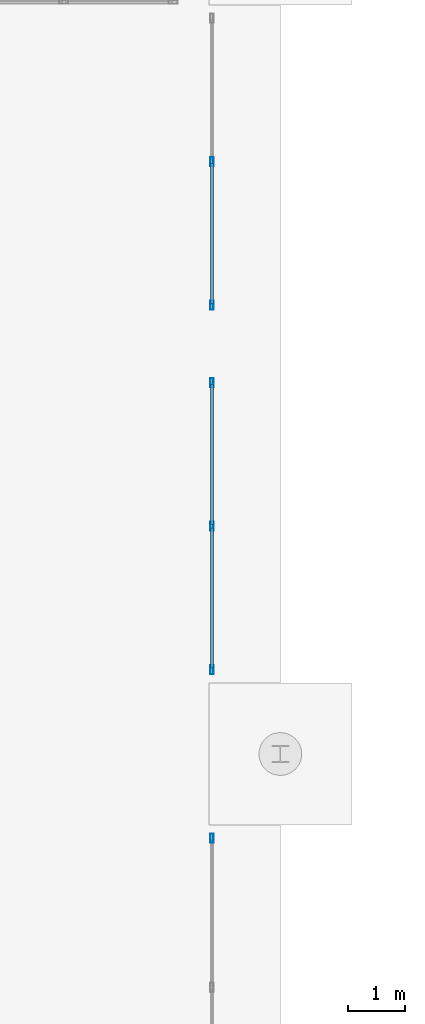
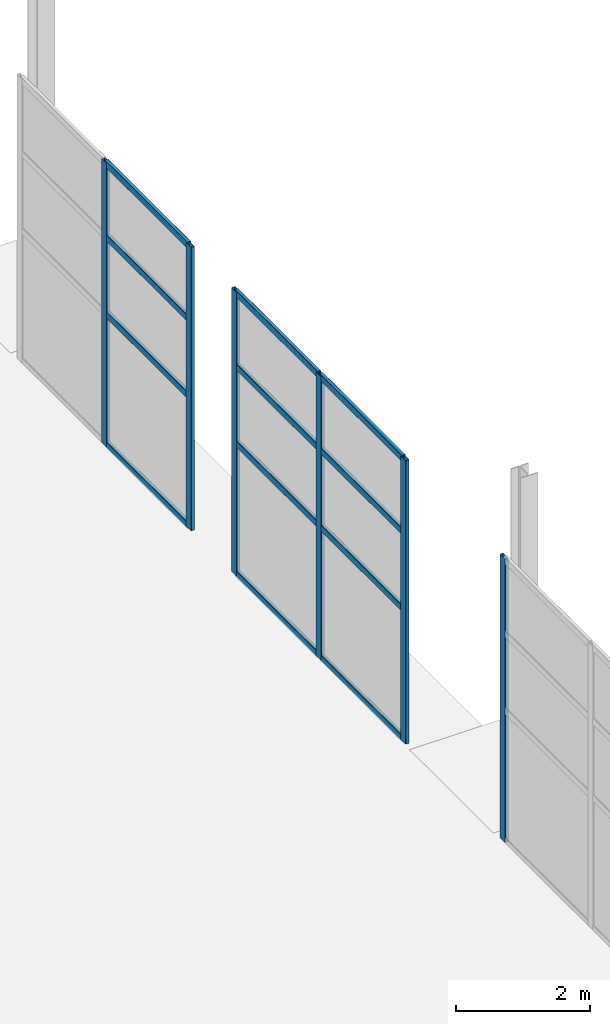
# One storey, part 43 of 91: 18 members, 3 elements without a shape of their own.
"""IFC4 building model written with IfcOpenShell, lengths in metres."""

import ifcopenshell
import ifcopenshell.guid

model = None  # the IFC model being written
_history = None  # IfcOwnerHistory: only IFC2X3 demands one
_inside = {}  # id of a spatial element -> (the spatial element, [elements in it])
_under = {}  # id of a project, library or spatial element -> (it, [spatial elements below it])
_declared = {}  # id of a project -> (the project, [libraries it declares])
_typed = {}  # id of a type object -> (the type object, [elements of that type])
_made_of = {}  # id of a material, layer set ... -> (it, [elements and type objects made of it])


def new_model(schema):
    """Start an empty IFC model of exactly this schema.

    Asked for "IFC4X3", IfcOpenShell would pick the latest addendum, in which some entities
    have other attributes; the version numbers below select the first issue.
    IFC2X3 requires an IfcOwnerHistory on every rooted entity: one is made here for all.
    """
    global model, _history
    if schema == "IFC4X3":
        model = ifcopenshell.file(schema_version=(4, 3, 0, 0))
    else:
        model = ifcopenshell.file(schema=schema)
    _inside.clear()
    _under.clear()
    _declared.clear()
    _typed.clear()
    _made_of.clear()
    _history = None
    if model.schema == "IFC2X3":
        org = make("IfcOrganization", Name="unknown")
        user = make(
            "IfcPersonAndOrganization",
            ThePerson=make("IfcPerson", FamilyName="unknown"),
            TheOrganization=org,
        )
        app = make(
            "IfcApplication",
            ApplicationDeveloper=org,
            Version="unknown",
            ApplicationFullName="unknown",
            ApplicationIdentifier="unknown",
        )
        _history = make(
            "IfcOwnerHistory",
            OwningUser=user,
            OwningApplication=app,
            ChangeAction="ADDED",
            CreationDate=0,
        )
    return model


def make(cls, **values):
    """One entity of the class cls with the attributes given. An attribute that is None is left unset."""
    return model.create_entity(
        cls, **{name: value for name, value in values.items() if value is not None}
    )


def rooted(cls, **values):
    """An entity with a GlobalId (a new one), such as an element, a storey or a relation."""
    return make(cls, GlobalId=ifcopenshell.guid.new(), OwnerHistory=_history, **values)


def si_unit(unit_type, name, prefix=None):
    """IfcSIUnit, for example si_unit("LENGTHUNIT", "METRE", prefix="MILLI")."""
    return make("IfcSIUnit", UnitType=unit_type, Prefix=prefix, Name=name)


def assignment(units):
    """IfcUnitAssignment: the units of a project."""
    return None if units is None else make("IfcUnitAssignment", Units=units)


def point(xyz):
    """IfcCartesianPoint."""
    return None if xyz is None else make("IfcCartesianPoint", Coordinates=xyz)


def direction(xyz):
    """IfcDirection."""
    return None if xyz is None else make("IfcDirection", DirectionRatios=xyz)


def frame(location, z_axis=None, x_axis=None):
    """IfcAxis2Placement3D, a coordinate frame: its origin and axes. An axis left out is left unset."""
    return make(
        "IfcAxis2Placement3D",
        Location=point(location),
        Axis=direction(z_axis),
        RefDirection=direction(x_axis),
    )


def frame_2d(location, x_axis=None):
    """IfcAxis2Placement2D, a coordinate frame in the plane: its origin and x axis."""
    return make(
        "IfcAxis2Placement2D", Location=point(location), RefDirection=direction(x_axis)
    )


def origin():
    """The frame at (0, 0, 0) with its axes left unset."""
    return frame((0.0, 0.0, 0.0))


def origin_2d():
    """The frame at (0, 0) in the plane with its x axis left unset."""
    return frame_2d((0.0, 0.0))


def place(relative_to, where):
    """IfcLocalPlacement: puts the frame where relative to a parent placement (None: the world)."""
    return make(
        "IfcLocalPlacement", PlacementRelTo=relative_to, RelativePlacement=where
    )


def context(
    kind, dimensions, precision=None, world=None, true_north=None, identifier=None
):
    """IfcGeometricRepresentationContext, for example the 3D "Model" context."""
    return make(
        "IfcGeometricRepresentationContext",
        ContextIdentifier=identifier,
        ContextType=kind,
        CoordinateSpaceDimension=dimensions,
        Precision=precision,
        WorldCoordinateSystem=world,
        TrueNorth=true_north,
    )


def subcontext(parent, identifier, kind, view, scale=None):
    """IfcGeometricRepresentationSubContext, for example "Body" below "Model"."""
    return make(
        "IfcGeometricRepresentationSubContext",
        ContextIdentifier=identifier,
        ContextType=kind,
        ParentContext=parent,
        TargetScale=scale,
        TargetView=view,
    )


def project(units=None, contexts=None):
    """IfcProject with its units and contexts."""
    return rooted(
        "IfcProject",
        Name="project",
        RepresentationContexts=contexts,
        UnitsInContext=assignment(units),
    )


def spatial(cls, under=None, at=None, **own):
    """A site, building, storey or space (cls), placed at a placement, below another one or the project."""
    s = rooted(cls, ObjectPlacement=at, **own)
    if under is not None:
        _under.setdefault(under.id(), (under, []))[1].append(s)
    return s


def profile(cls, at=None, kind="AREA", **sizes):
    """A parametric profile (cls). Its sizes go by their IFC names, for example OverallWidth=200.0."""
    return make(cls, ProfileType=kind, Position=at, **sizes)


def hollow_rectangle(**sizes):
    """IfcRectangleHollowProfileDef."""
    return profile("IfcRectangleHollowProfileDef", **sizes)


def extrude(swept, where, along, depth):
    """IfcExtrudedAreaSolid: the profile swept, set in the frame where, extruded along a direction by depth."""
    return make(
        "IfcExtrudedAreaSolid",
        SweptArea=swept,
        Position=where,
        ExtrudedDirection=direction(along),
        Depth=depth,
    )


def shape(context_of_items, identifier, shape_type, items):
    """IfcShapeRepresentation: the items that make up one representation, for example the "Body"."""
    return make(
        "IfcShapeRepresentation",
        ContextOfItems=context_of_items,
        RepresentationIdentifier=identifier,
        RepresentationType=shape_type,
        Items=items,
    )


def material(Name=None, Category=None):
    """IfcMaterial."""
    return make("IfcMaterial", Name=Name, Category=Category)


def material_profile(
    of_material, cross_section, Name=None, Category=None, Priority=None
):
    """IfcMaterialProfile: a cross section and its material."""
    return make(
        "IfcMaterialProfile",
        Name=Name,
        Material=of_material,
        Profile=cross_section,
        Priority=Priority,
        Category=Category,
    )


def profile_set(profiles, Name=None, composite=None):
    """IfcMaterialProfileSet."""
    return make(
        "IfcMaterialProfileSet",
        Name=Name,
        MaterialProfiles=profiles,
        CompositeProfile=composite,
    )


def made_of(thing, what):
    """Note that an element or type object is made of a material, layer set ...; save() writes the relation."""
    if what is not None:
        _made_of.setdefault(what.id(), (what, []))[1].append(thing)
    return thing


def type_object(cls, material=None, **own):
    """A type object (cls), such as IfcWallType, which elements share."""
    return made_of(rooted(cls, **own), material)


def element(
    cls,
    number,
    at=None,
    inside=None,
    cuts=None,
    type_object=None,
    material=None,
    context=None,
    identifier="Body",
    shape_type=None,
    held_by="IfcProductDefinitionShape",
    body=None,
    shapes=None,
    **own,
):
    """One element of the class cls, such as IfcWall. Its Tag is "e" and its number.

    at: its placement. inside: the storey or other place that contains it. cuts: it is an
    opening in that element (IfcRelVoidsElement). A single representation is given by context,
    identifier, shape_type and body (its items); several are given by shapes. held_by: the class
    of the entity that holds the representations. save() writes the other relations.
    """
    e = rooted(cls, Tag="e%d" % number, ObjectPlacement=at, **own)
    if body is not None:
        shapes = [shape(context, identifier, shape_type, body)]
    if shapes is not None:
        e.Representation = make(held_by, Representations=shapes)
    if inside is not None:
        _inside.setdefault(inside.id(), (inside, []))[1].append(e)
    if cuts is not None:
        rooted(
            "IfcRelVoidsElement", RelatingBuildingElement=cuts, RelatedOpeningElement=e
        )
    if type_object is not None:
        _typed.setdefault(type_object.id(), (type_object, []))[1].append(e)
    return made_of(e, material)


def aggregate(whole, parts):
    """IfcRelAggregates: a whole, such as a stair, and the parts it consists of."""
    return rooted("IfcRelAggregates", RelatingObject=whole, RelatedObjects=parts)


def save(model, path):
    """Write the relations noted so far, then the file.

    IfcRelAggregates (storeys below a building ...), IfcRelContainedInSpatialStructure (elements
    in a storey), IfcRelDefinesByType, IfcRelAssociatesMaterial and IfcRelDeclares: one each for
    every whole, place, type object, material and project.
    """
    for whole, parts in _under.values():
        aggregate(whole, parts)
    for where, things in _inside.values():
        rooted(
            "IfcRelContainedInSpatialStructure",
            RelatedElements=things,
            RelatingStructure=where,
        )
    for kind, things in _typed.values():
        rooted("IfcRelDefinesByType", RelatedObjects=things, RelatingType=kind)
    for what, things in _made_of.values():
        rooted("IfcRelAssociatesMaterial", RelatedObjects=things, RelatingMaterial=what)
    for by, libraries in _declared.values():
        rooted("IfcRelDeclares", RelatingContext=by, RelatedDefinitions=libraries)
    model.write(path)


model = new_model("IFC4")

# Units and contexts
model_context = context("Model", 3, precision=1e-05, world=origin(), true_north=direction((0.0, 1.0)))
body_context = subcontext(model_context, "Body", "Model", "MODEL_VIEW")
ifc_project = project(units=[si_unit("LENGTHUNIT", "METRE"), si_unit("AREAUNIT", "SQUARE_METRE"), si_unit("VOLUMEUNIT", "CUBIC_METRE"), si_unit("PLANEANGLEUNIT", "RADIAN"), si_unit("MASSUNIT", "GRAM", prefix="KILO")], contexts=[model_context])

# Site, building, storey
site_placement = place(None, origin())
site = spatial("IfcSite", under=ifc_project, at=site_placement, CompositionType="ELEMENT")
building_placement = place(site_placement, origin())
building = spatial("IfcBuilding", under=site, at=building_placement, Name="Bramveld Media Centre", CompositionType="ELEMENT")
storey_placement = place(building_placement, origin())
storey = spatial("IfcBuildingStorey", under=building, at=storey_placement, Name="L00", CompositionType="ELEMENT", Elevation=0.0)

# Curtain wall, member
ifc_material_1 = material(Name="Thermally broken anodized bronze aluminium unitized curtain wall with solar-control triple glazing", Category="aluminium")
curtain_wall_type_1 = type_object("IfcCurtainWallType", Name="CW-GAL-5300x5160", PredefinedType="NOTDEFINED", material=ifc_material_1)
curtain_wall_1_placement = place(storey_placement, origin())
curtain_wall_1 = element("IfcCurtainWall", 1, at=curtain_wall_1_placement, inside=storey, type_object=curtain_wall_type_1, Name="COLN-E colonnade glazed screen 5", PredefinedType="NOTDEFINED")
ifc_material_2 = material(Name="Thermally broken anodized bronze aluminium EN AW-6063 T6 curtain-wall framing", Category="aluminium")
ifc_material_profile_1 = material_profile(ifc_material_2, hollow_rectangle(XDim=0.06005859375, YDim=0.159912109375, WallThickness=0.00390625, InnerFilletRadius=0.00390625, OuterFilletRadius=0.008056640625, at=origin_2d()), Name="AL-MULL 60x160")
ifc_profile_set_1 = profile_set([ifc_material_profile_1], Name="Thermally broken anodized bronze aluminium EN AW-6063 T6 curtain-wall framing")
member_type_1 = type_object("IfcMemberType", Name="CW-MULL-EXT", PredefinedType="MULLION", material=ifc_profile_set_1)
member_1_placement = place(storey_placement, frame((34.800048828125, 96.1201171875, 0.0), z_axis=(0.0, 0.0, 1.0), x_axis=(-1.0, 0.0, 0.0)))
member_1 = element("IfcMember", 2, at=member_1_placement, type_object=member_type_1, Name="CW-GA-5351 mullion 3", PredefinedType="MULLION", context=body_context, shape_type="SweptSolid", body=[
    extrude(hollow_rectangle(XDim=0.06005859375, YDim=0.159912109375, WallThickness=0.00390625, InnerFilletRadius=0.00390625, OuterFilletRadius=0.008056640625, at=origin_2d()), origin(), (0.0, 0.0, 1.0), 5.159912109375),
])
aggregate(curtain_wall_1, [member_1])

# Curtain wall, members
ifc_material_3 = material(Name="Thermally broken anodized bronze aluminium unitized curtain wall with solar-control triple glazing", Category="aluminium")
curtain_wall_type_2 = type_object("IfcCurtainWallType", Name="CW-GAL-5100x5160", PredefinedType="NOTDEFINED", material=ifc_material_3)
curtain_wall_2_placement = place(storey_placement, origin())
curtain_wall_2 = element("IfcCurtainWall", 3, at=curtain_wall_2_placement, inside=storey, type_object=curtain_wall_type_2, Name="COLN-E colonnade glazed screen 7", PredefinedType="NOTDEFINED")
member_2_placement = place(storey_placement, frame((34.800048828125, 99.080078125, 0.0), z_axis=(0.0, 0.0, 1.0), x_axis=(-1.0, 0.0, 0.0)))
member_2 = element("IfcMember", 4, at=member_2_placement, type_object=member_type_1, Name="CW-GA-5151 mullion 1", PredefinedType="MULLION", context=body_context, shape_type="SweptSolid", body=[
    extrude(hollow_rectangle(XDim=0.06005859375, YDim=0.159912109375, WallThickness=0.00390625, InnerFilletRadius=0.00390625, OuterFilletRadius=0.008056640625, at=origin_2d()), origin(), (0.0, 0.0, 1.0), 5.159912109375),
])
member_3_placement = place(storey_placement, frame((34.800048828125, 101.60009765625, 0.0), z_axis=(0.0, 0.0, 1.0), x_axis=(-1.0, 0.0, 0.0)))
member_3 = element("IfcMember", 5, at=member_3_placement, type_object=member_type_1, Name="CW-GA-5151 mullion 2", PredefinedType="MULLION", context=body_context, shape_type="SweptSolid", body=[
    extrude(hollow_rectangle(XDim=0.06005859375, YDim=0.159912109375, WallThickness=0.00390625, InnerFilletRadius=0.00390625, OuterFilletRadius=0.008056640625, at=origin_2d()), origin(), (0.0, 0.0, 1.0), 5.159912109375),
])
member_4_placement = place(storey_placement, frame((34.800048828125, 104.1201171875, 0.0), z_axis=(0.0, 0.0, 1.0), x_axis=(-1.0, 0.0, 0.0)))
member_4 = element("IfcMember", 6, at=member_4_placement, type_object=member_type_1, Name="CW-GA-5151 mullion 3", PredefinedType="MULLION", context=body_context, shape_type="SweptSolid", body=[
    extrude(hollow_rectangle(XDim=0.06005859375, YDim=0.159912109375, WallThickness=0.00390625, InnerFilletRadius=0.00390625, OuterFilletRadius=0.008056640625, at=origin_2d()), origin(), (0.0, 0.0, 1.0), 5.159912109375),
])

curtain_wall_3_placement = place(storey_placement, origin())
curtain_wall_3 = element("IfcCurtainWall", 7, at=curtain_wall_3_placement, inside=storey, type_object=curtain_wall_type_2, Name="COLN-E colonnade glazed screen 8", PredefinedType="NOTDEFINED")
member_5_placement = place(storey_placement, frame((34.800048828125, 105.47998046875, 0.0), z_axis=(0.0, 0.0, 1.0), x_axis=(-1.0, 0.0, 0.0)))
member_5 = element("IfcMember", 8, at=member_5_placement, type_object=member_type_1, Name="CW-GA-5151 mullion 1", PredefinedType="MULLION", context=body_context, shape_type="SweptSolid", body=[
    extrude(hollow_rectangle(XDim=0.06005859375, YDim=0.159912109375, WallThickness=0.00390625, InnerFilletRadius=0.00390625, OuterFilletRadius=0.008056640625, at=origin_2d()), origin(), (0.0, 0.0, 1.0), 5.159912109375),
])
member_6_placement = place(storey_placement, frame((34.800048828125, 108.0, 0.0), z_axis=(0.0, 0.0, 1.0), x_axis=(-1.0, 0.0, 0.0)))
member_6 = element("IfcMember", 9, at=member_6_placement, type_object=member_type_1, Name="CW-GA-5151 mullion 2", PredefinedType="MULLION", context=body_context, shape_type="SweptSolid", body=[
    extrude(hollow_rectangle(XDim=0.06005859375, YDim=0.159912109375, WallThickness=0.00390625, InnerFilletRadius=0.00390625, OuterFilletRadius=0.008056640625, at=origin_2d()), origin(), (0.0, 0.0, 1.0), 5.159912109375),
])

# Member
ifc_material_4 = material(Name="Thermally broken anodized bronze aluminium EN AW-6063 T6 curtain-wall framing", Category="aluminium")
ifc_material_profile_2 = material_profile(ifc_material_4, hollow_rectangle(XDim=0.06005859375, YDim=0.1201171875, WallThickness=0.00341796875, InnerFilletRadius=0.00341796875, OuterFilletRadius=0.007080078125, at=origin_2d()), Name="AL-TRAN 60x120")
ifc_profile_set_2 = profile_set([ifc_material_profile_2], Name="Thermally broken anodized bronze aluminium EN AW-6063 T6 curtain-wall framing")
member_type_2 = type_object("IfcMemberType", Name="CW-TRAN-EXT", PredefinedType="USERDEFINED", material=ifc_profile_set_2)
member_7_placement = place(storey_placement, frame((34.800048828125, 99.110107421875, 0.030029296875), z_axis=(0.0, 1.0, 0.0), x_axis=(-1.0, 0.0, 0.0)))
member_7 = element("IfcMember", 10, at=member_7_placement, type_object=member_type_2, Name="CW-GA-5151 transom 1.1", ObjectType="TRANSOM", PredefinedType="USERDEFINED", context=body_context, shape_type="SweptSolid", body=[
    extrude(hollow_rectangle(XDim=0.06005859375, YDim=0.1201171875, WallThickness=0.00341796875, InnerFilletRadius=0.00341796875, OuterFilletRadius=0.007080078125, at=origin_2d()), origin(), (0.0, 0.0, 1.0), 2.4599609375),
])

member_8_placement = place(storey_placement, frame((34.800048828125, 99.110107421875, 2.39990234375), z_axis=(0.0, 1.0, 0.0), x_axis=(-1.0, 0.0, 0.0)))
member_8 = element("IfcMember", 11, at=member_8_placement, type_object=member_type_2, Name="CW-GA-5151 transom 1.2", ObjectType="TRANSOM", PredefinedType="USERDEFINED", context=body_context, shape_type="SweptSolid", body=[
    extrude(hollow_rectangle(XDim=0.06005859375, YDim=0.1201171875, WallThickness=0.00341796875, InnerFilletRadius=0.00341796875, OuterFilletRadius=0.007080078125, at=origin_2d()), origin(), (0.0, 0.0, 1.0), 2.4599609375),
])

member_9_placement = place(storey_placement, frame((34.800048828125, 99.110107421875, 3.800048828125), z_axis=(0.0, 1.0, 0.0), x_axis=(-1.0, 0.0, 0.0)))
member_9 = element("IfcMember", 12, at=member_9_placement, type_object=member_type_2, Name="CW-GA-5151 transom 1.3", ObjectType="TRANSOM", PredefinedType="USERDEFINED", context=body_context, shape_type="SweptSolid", body=[
    extrude(hollow_rectangle(XDim=0.06005859375, YDim=0.1201171875, WallThickness=0.00341796875, InnerFilletRadius=0.00341796875, OuterFilletRadius=0.007080078125, at=origin_2d()), origin(), (0.0, 0.0, 1.0), 2.4599609375),
])

member_10_placement = place(storey_placement, frame((34.800048828125, 99.110107421875, 5.1298828125), z_axis=(0.0, 1.0, 0.0), x_axis=(-1.0, 0.0, 0.0)))
member_10 = element("IfcMember", 13, at=member_10_placement, type_object=member_type_2, Name="CW-GA-5151 transom 1.4", ObjectType="TRANSOM", PredefinedType="USERDEFINED", context=body_context, shape_type="SweptSolid", body=[
    extrude(hollow_rectangle(XDim=0.06005859375, YDim=0.1201171875, WallThickness=0.00341796875, InnerFilletRadius=0.00341796875, OuterFilletRadius=0.007080078125, at=origin_2d()), origin(), (0.0, 0.0, 1.0), 2.4599609375),
])

member_11_placement = place(storey_placement, frame((34.800048828125, 101.6298828125, 0.030029296875), z_axis=(0.0, 1.0, 0.0), x_axis=(-1.0, 0.0, 0.0)))
member_11 = element("IfcMember", 14, at=member_11_placement, type_object=member_type_2, Name="CW-GA-5151 transom 2.1", ObjectType="TRANSOM", PredefinedType="USERDEFINED", context=body_context, shape_type="SweptSolid", body=[
    extrude(hollow_rectangle(XDim=0.06005859375, YDim=0.1201171875, WallThickness=0.00341796875, InnerFilletRadius=0.00341796875, OuterFilletRadius=0.007080078125, at=origin_2d()), origin(), (0.0, 0.0, 1.0), 2.460205078125),
])

member_12_placement = place(storey_placement, frame((34.800048828125, 101.6298828125, 2.39990234375), z_axis=(0.0, 1.0, 0.0), x_axis=(-1.0, 0.0, 0.0)))
member_12 = element("IfcMember", 15, at=member_12_placement, type_object=member_type_2, Name="CW-GA-5151 transom 2.2", ObjectType="TRANSOM", PredefinedType="USERDEFINED", context=body_context, shape_type="SweptSolid", body=[
    extrude(hollow_rectangle(XDim=0.06005859375, YDim=0.1201171875, WallThickness=0.00341796875, InnerFilletRadius=0.00341796875, OuterFilletRadius=0.007080078125, at=origin_2d()), origin(), (0.0, 0.0, 1.0), 2.460205078125),
])

member_13_placement = place(storey_placement, frame((34.800048828125, 101.6298828125, 3.800048828125), z_axis=(0.0, 1.0, 0.0), x_axis=(-1.0, 0.0, 0.0)))
member_13 = element("IfcMember", 16, at=member_13_placement, type_object=member_type_2, Name="CW-GA-5151 transom 2.3", ObjectType="TRANSOM", PredefinedType="USERDEFINED", context=body_context, shape_type="SweptSolid", body=[
    extrude(hollow_rectangle(XDim=0.06005859375, YDim=0.1201171875, WallThickness=0.00341796875, InnerFilletRadius=0.00341796875, OuterFilletRadius=0.007080078125, at=origin_2d()), origin(), (0.0, 0.0, 1.0), 2.460205078125),
])

member_14_placement = place(storey_placement, frame((34.800048828125, 101.6298828125, 5.1298828125), z_axis=(0.0, 1.0, 0.0), x_axis=(-1.0, 0.0, 0.0)))
member_14 = element("IfcMember", 17, at=member_14_placement, type_object=member_type_2, Name="CW-GA-5151 transom 2.4", ObjectType="TRANSOM", PredefinedType="USERDEFINED", context=body_context, shape_type="SweptSolid", body=[
    extrude(hollow_rectangle(XDim=0.06005859375, YDim=0.1201171875, WallThickness=0.00341796875, InnerFilletRadius=0.00341796875, OuterFilletRadius=0.007080078125, at=origin_2d()), origin(), (0.0, 0.0, 1.0), 2.460205078125),
])

aggregate(curtain_wall_2, [member_2, member_3, member_4, member_7, member_8, member_9, member_10, member_11, member_12, member_13, member_14])

member_15_placement = place(storey_placement, frame((34.800048828125, 105.510009765625, 0.030029296875), z_axis=(0.0, 1.0, 0.0), x_axis=(-1.0, 0.0, 0.0)))
member_15 = element("IfcMember", 18, at=member_15_placement, type_object=member_type_2, Name="CW-GA-5151 transom 1.1", ObjectType="TRANSOM", PredefinedType="USERDEFINED", context=body_context, shape_type="SweptSolid", body=[
    extrude(hollow_rectangle(XDim=0.06005859375, YDim=0.1201171875, WallThickness=0.00341796875, InnerFilletRadius=0.00341796875, OuterFilletRadius=0.007080078125, at=origin_2d()), origin(), (0.0, 0.0, 1.0), 2.4599609375),
])

member_16_placement = place(storey_placement, frame((34.800048828125, 105.510009765625, 2.39990234375), z_axis=(0.0, 1.0, 0.0), x_axis=(-1.0, 0.0, 0.0)))
member_16 = element("IfcMember", 19, at=member_16_placement, type_object=member_type_2, Name="CW-GA-5151 transom 1.2", ObjectType="TRANSOM", PredefinedType="USERDEFINED", context=body_context, shape_type="SweptSolid", body=[
    extrude(hollow_rectangle(XDim=0.06005859375, YDim=0.1201171875, WallThickness=0.00341796875, InnerFilletRadius=0.00341796875, OuterFilletRadius=0.007080078125, at=origin_2d()), origin(), (0.0, 0.0, 1.0), 2.4599609375),
])

member_17_placement = place(storey_placement, frame((34.800048828125, 105.510009765625, 3.800048828125), z_axis=(0.0, 1.0, 0.0), x_axis=(-1.0, 0.0, 0.0)))
member_17 = element("IfcMember", 20, at=member_17_placement, type_object=member_type_2, Name="CW-GA-5151 transom 1.3", ObjectType="TRANSOM", PredefinedType="USERDEFINED", context=body_context, shape_type="SweptSolid", body=[
    extrude(hollow_rectangle(XDim=0.06005859375, YDim=0.1201171875, WallThickness=0.00341796875, InnerFilletRadius=0.00341796875, OuterFilletRadius=0.007080078125, at=origin_2d()), origin(), (0.0, 0.0, 1.0), 2.4599609375),
])

member_18_placement = place(storey_placement, frame((34.800048828125, 105.510009765625, 5.1298828125), z_axis=(0.0, 1.0, 0.0), x_axis=(-1.0, 0.0, 0.0)))
member_18 = element("IfcMember", 21, at=member_18_placement, type_object=member_type_2, Name="CW-GA-5151 transom 1.4", ObjectType="TRANSOM", PredefinedType="USERDEFINED", context=body_context, shape_type="SweptSolid", body=[
    extrude(hollow_rectangle(XDim=0.06005859375, YDim=0.1201171875, WallThickness=0.00341796875, InnerFilletRadius=0.00341796875, OuterFilletRadius=0.007080078125, at=origin_2d()), origin(), (0.0, 0.0, 1.0), 2.4599609375),
])

aggregate(curtain_wall_3, [member_5, member_6, member_15, member_16, member_17, member_18])

save(model, "model.ifc")
